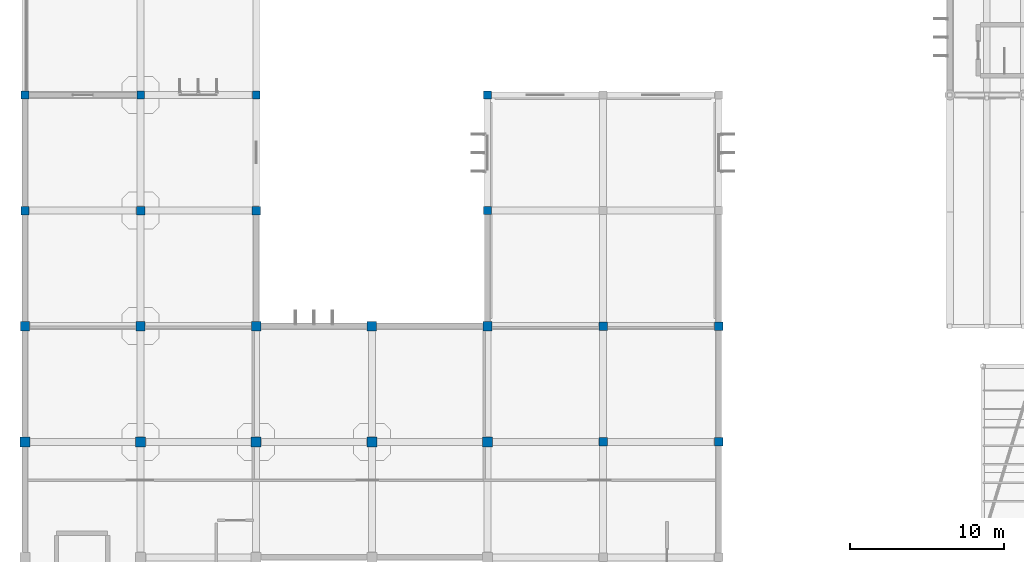
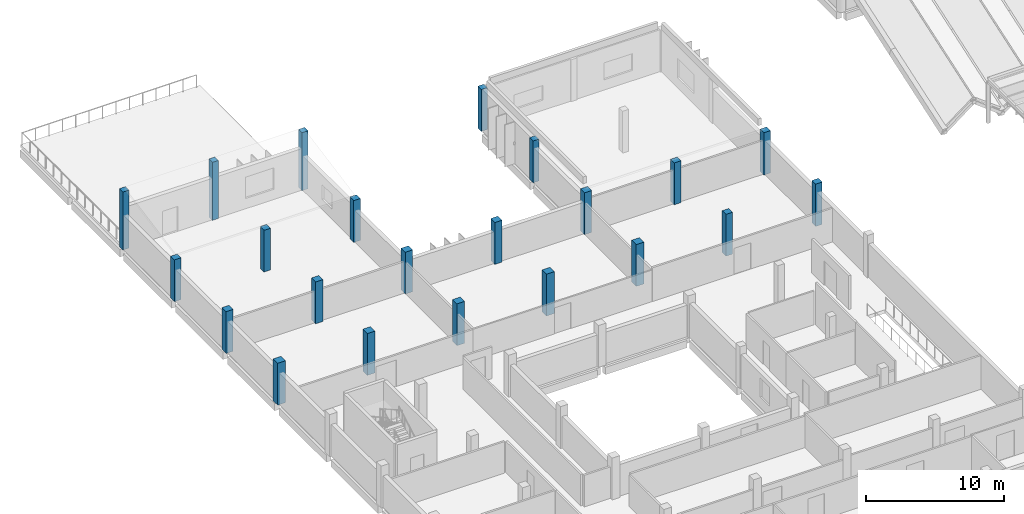
# One storey, part 3 of 47: 22 columns.
"""IFC4 building model written with IfcOpenShell, lengths in metres."""

from ifc_helpers import new_model, si_unit, direction, frame, origin, origin_2d, place, context, subcontext, project, spatial, rectangle, extrude, material, material_profile, profile_set, type_object, element, save


model = new_model("IFC4")

# Units and contexts
model_context = context("Model", 3, precision=1e-05, world=origin(), true_north=direction((0.0, 1.0)))
body_context = subcontext(model_context, "Body", "Model", "MODEL_VIEW")
ifc_project = project(units=[si_unit("LENGTHUNIT", "METRE"), si_unit("AREAUNIT", "SQUARE_METRE"), si_unit("VOLUMEUNIT", "CUBIC_METRE"), si_unit("PLANEANGLEUNIT", "RADIAN"), si_unit("MASSUNIT", "GRAM", prefix="KILO")], contexts=[model_context])

# Site, building, storey
site_placement = place(None, origin())
site = spatial("IfcSite", under=ifc_project, at=site_placement, CompositionType="ELEMENT")
building_placement = place(site_placement, origin())
building = spatial("IfcBuilding", under=site, at=building_placement, Name="Mawjan Specialist Oncology Clinic", CompositionType="ELEMENT")
storey_placement = place(building_placement, frame((0.0, 0.0, 9.5)))
storey = spatial("IfcBuildingStorey", under=building, at=storey_placement, Name="L02", CompositionType="ELEMENT", Elevation=9.5)

# Columns
ifc_material_1 = material(Name="Concrete C45/55", Category="concrete")
ifc_material_profile_1 = material_profile(ifc_material_1, rectangle(XDim=0.5, YDim=0.5, at=origin_2d()), Name="RC COL 500x500", Category="concrete")
ifc_profile_set_1 = profile_set([ifc_material_profile_1], Name="Concrete C45/55")
column_type_1 = type_object("IfcColumnType", Name="C-500", PredefinedType="COLUMN", material=ifc_profile_set_1)
for number, where, z_axis, x_axis, name in (
    (1, (0.0, 60.800048828125, 0.0), (0.0, 0.0, 1.0), (1.0, 0.0, 0.0), "L02 Column G-1-J"),
    (2, (7.5, 60.800048828125, 0.0), (0.0, 0.0, 1.0), (1.0, 0.0, 0.0), "L02 Column G-2-J"),
    (3, (15.0, 60.800048828125, 0.0), (0.0, 0.0, 1.0), (1.0, 0.0, 0.0), "L02 Column G-3-J"),
):
    element("IfcColumn", number, at=place(storey_placement, frame(where, z_axis=z_axis, x_axis=x_axis)), inside=storey, type_object=column_type_1, Name=name, PredefinedType="COLUMN", context=body_context, shape_type="SweptSolid", body=[
        extrude(rectangle(XDim=0.5, YDim=0.5, at=origin_2d()), origin(), (0.0, 0.0, 1.0), 5.135986328125),
    ])
for number, where, z_axis, x_axis, name in (
    (4, (30.0, 53.300048828125, 0.0), (0.0, 0.0, 1.0), (1.0, 0.0, 0.0), "L02 Column G-5-H"),
    (5, (30.0, 60.800048828125, 0.0), (0.0, 0.0, 1.0), (1.0, 0.0, 0.0), "L02 Column G-5-J"),
):
    element("IfcColumn", number, at=place(storey_placement, frame(where, z_axis=z_axis, x_axis=x_axis)), inside=storey, type_object=column_type_1, Name=name, PredefinedType="COLUMN", context=body_context, shape_type="SweptSolid", body=[
        extrude(rectangle(XDim=0.5, YDim=0.5, at=origin_2d()), origin(), (0.0, 0.0, 1.0), 3.699951171875),
    ])
ifc_material_2 = material(Name="Concrete C45/55", Category="concrete")
ifc_material_profile_2 = material_profile(ifc_material_2, rectangle(XDim=0.550048828125, YDim=0.550048828125, at=origin_2d()), Name="RC COL 550x550", Category="concrete")
ifc_profile_set_2 = profile_set([ifc_material_profile_2], Name="Concrete C45/55")
column_type_2 = type_object("IfcColumnType", Name="C-550", PredefinedType="COLUMN", material=ifc_profile_set_2)
for number, where, z_axis, x_axis, name in (
    (6, (0.0, 53.300048828125, 0.0), (0.0, 0.0, 1.0), (1.0, 0.0, 0.0), "L02 Column G-1-H"),
    (7, (7.5, 53.300048828125, 0.0), (0.0, 0.0, 1.0), (1.0, 0.0, 0.0), "L02 Column G-2-H"),
    (8, (15.0, 53.300048828125, 0.0), (0.0, 0.0, 1.0), (1.0, 0.0, 0.0), "L02 Column G-3-H"),
    (9, (37.5, 38.300048828125, 0.0), (0.0, 0.0, 1.0), (1.0, 0.0, 0.0), "L02 Column G-6-F"),
    (10, (37.5, 45.800048828125, 0.0), (0.0, 0.0, 1.0), (1.0, 0.0, 0.0), "L02 Column G-6-G"),
):
    element("IfcColumn", number, at=place(storey_placement, frame(where, z_axis=z_axis, x_axis=x_axis)), inside=storey, type_object=column_type_2, Name=name, PredefinedType="COLUMN", context=body_context, shape_type="SweptSolid", body=[
        extrude(rectangle(XDim=0.550048828125, YDim=0.550048828125, at=origin_2d()), origin(), (0.0, 0.0, 1.0), 3.699951171875),
    ])
for number, where, z_axis, x_axis, name in (
    (11, (45.0, 38.300048828125, 0.0), (0.0, 0.0, 1.0), (1.0, 0.0, 0.0), "L02 Column G-7-F"),
    (12, (45.0, 45.800048828125, 0.0), (0.0, 0.0, 1.0), (1.0, 0.0, 0.0), "L02 Column G-7-G"),
):
    element("IfcColumn", number, at=place(storey_placement, frame(where, z_axis=z_axis, x_axis=x_axis)), inside=storey, type_object=column_type_2, Name=name, PredefinedType="COLUMN", context=body_context, shape_type="SweptSolid", body=[
        extrude(rectangle(XDim=0.550048828125, YDim=0.550048828125, at=origin_2d()), origin(), (0.0, 0.0, 1.0), 3.75),
    ])
ifc_material_3 = material(Name="Concrete C45/55", Category="concrete")
ifc_material_profile_3 = material_profile(ifc_material_3, rectangle(XDim=0.60009765625, YDim=0.60009765625, at=origin_2d()), Name="RC COL 600x600", Category="concrete")
ifc_profile_set_3 = profile_set([ifc_material_profile_3], Name="Concrete C45/55")
column_type_3 = type_object("IfcColumnType", Name="C-600", PredefinedType="COLUMN", material=ifc_profile_set_3)
for number, where, z_axis, x_axis, name in (
    (13, (0.0, 45.800048828125, 0.0), (0.0, 0.0, 1.0), (1.0, 0.0, 0.0), "L02 Column G-1-G"),
    (14, (7.5, 45.800048828125, 0.0), (0.0, 0.0, 1.0), (1.0, 0.0, 0.0), "L02 Column G-2-G"),
    (15, (15.0, 45.800048828125, 0.0), (0.0, 0.0, 1.0), (1.0, 0.0, 0.0), "L02 Column G-3-G"),
    (16, (22.5, 45.800048828125, 0.0), (0.0, 0.0, 1.0), (1.0, 0.0, 0.0), "L02 Column G-4-G"),
    (17, (30.0, 45.800048828125, 0.0), (0.0, 0.0, 1.0), (1.0, 0.0, 0.0), "L02 Column G-5-G"),
):
    element("IfcColumn", number, at=place(storey_placement, frame(where, z_axis=z_axis, x_axis=x_axis)), inside=storey, type_object=column_type_3, Name=name, PredefinedType="COLUMN", context=body_context, shape_type="SweptSolid", body=[
        extrude(rectangle(XDim=0.60009765625, YDim=0.60009765625, at=origin_2d()), origin(), (0.0, 0.0, 1.0), 3.699951171875),
    ])
ifc_material_4 = material(Name="Concrete C45/55", Category="concrete")
ifc_material_profile_4 = material_profile(ifc_material_4, rectangle(XDim=0.64990234375, YDim=0.64990234375, at=origin_2d()), Name="RC COL 650x650", Category="concrete")
ifc_profile_set_4 = profile_set([ifc_material_profile_4], Name="Concrete C45/55")
column_type_4 = type_object("IfcColumnType", Name="C-650", PredefinedType="COLUMN", material=ifc_profile_set_4)
for number, where, z_axis, x_axis, name in (
    (18, (0.0, 38.300048828125, 0.0), (0.0, 0.0, 1.0), (1.0, 0.0, 0.0), "L02 Column G-1-F"),
    (19, (7.5, 38.300048828125, 0.0), (0.0, 0.0, 1.0), (1.0, 0.0, 0.0), "L02 Column G-2-F"),
    (20, (15.0, 38.300048828125, 0.0), (0.0, 0.0, 1.0), (1.0, 0.0, 0.0), "L02 Column G-3-F"),
    (21, (22.5, 38.300048828125, 0.0), (0.0, 0.0, 1.0), (1.0, 0.0, 0.0), "L02 Column G-4-F"),
    (22, (30.0, 38.300048828125, 0.0), (0.0, 0.0, 1.0), (1.0, 0.0, 0.0), "L02 Column G-5-F"),
):
    element("IfcColumn", number, at=place(storey_placement, frame(where, z_axis=z_axis, x_axis=x_axis)), inside=storey, type_object=column_type_4, Name=name, PredefinedType="COLUMN", context=body_context, shape_type="SweptSolid", body=[
        extrude(rectangle(XDim=0.64990234375, YDim=0.64990234375, at=origin_2d()), origin(), (0.0, 0.0, 1.0), 3.699951171875),
    ])

save(model, "model.ifc")
